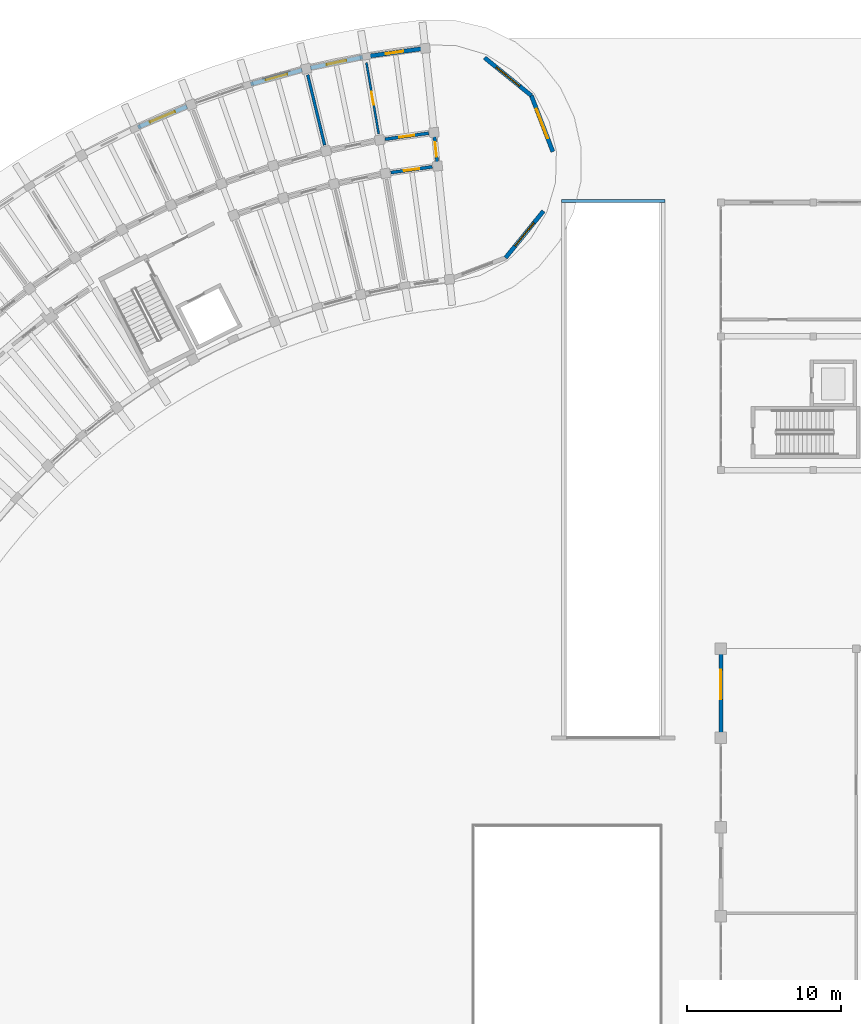
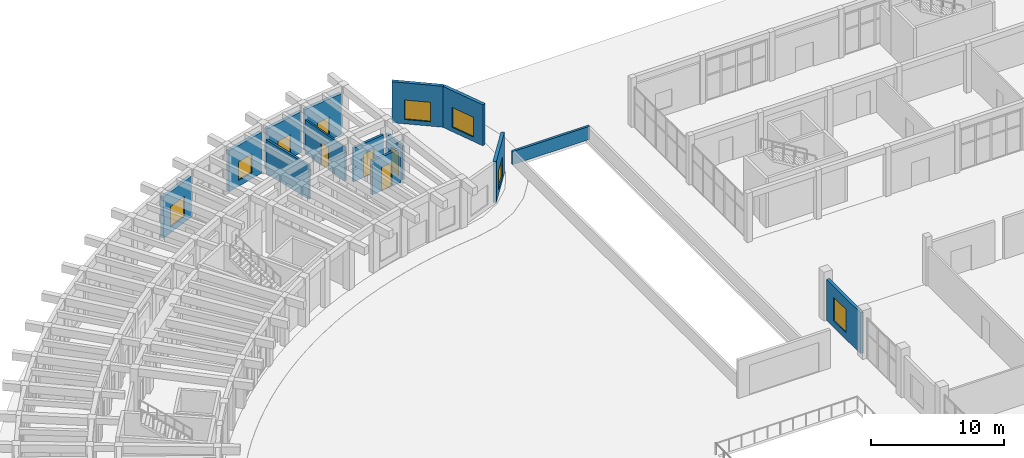
# One storey, part 97 of 132: 14 walls, 8 windows, 4 doors, 12 openings.
"""IFC4 building model written with IfcOpenShell, lengths in metres."""

from ifc_helpers import new_model, si_unit, direction, frame, frame_2d, origin, place, context, subcontext, project, spatial, rectangle, extrude, material, layer, layer_set, type_object, element, fill, save


model = new_model("IFC4")

# Units and contexts
model_context = context("Model", 3, precision=1e-05, world=origin(), true_north=direction((0.0, 1.0)))
body_context = subcontext(model_context, "Body", "Model", "MODEL_VIEW")
ifc_project = project(units=[si_unit("LENGTHUNIT", "METRE"), si_unit("AREAUNIT", "SQUARE_METRE"), si_unit("VOLUMEUNIT", "CUBIC_METRE"), si_unit("PLANEANGLEUNIT", "RADIAN"), si_unit("MASSUNIT", "GRAM", prefix="KILO")], contexts=[model_context])

# Site, building, storey
site_placement = place(None, origin())
site = spatial("IfcSite", under=ifc_project, at=site_placement, CompositionType="ELEMENT")
building_placement = place(site_placement, origin())
building = spatial("IfcBuilding", under=site, at=building_placement, Name="Tanwirah Colonnade Gardens", CompositionType="ELEMENT")
storey_placement = place(building_placement, origin())
storey = spatial("IfcBuildingStorey", under=building, at=storey_placement, Name="L00", CompositionType="ELEMENT", Elevation=0.0)

# Wall
ifc_material_1 = material(Name="Limestone architectural precast concrete C40/50", Category="masonry")
ifc_layer_1 = layer(ifc_material_1, 0.199951171875)
ifc_layer_set_1 = layer_set([ifc_layer_1], Name="Limestone architectural precast concrete C40/50")
wall_type_1 = type_object("IfcWallType", Name="EW-PAR200", PredefinedType="PARAPET", material=ifc_layer_set_1)
wall_1_placement = place(storey_placement, frame((67.64990234375, 109.5, 0.0), z_axis=(0.0, 0.0, 1.0), x_axis=(1.0, 0.0, 0.0)))
element("IfcWall", 1, at=wall_1_placement, inside=storey, type_object=wall_type_1, Name="Basement Ramp North Head Guard Wall", PredefinedType="PARAPET", context=body_context, shape_type="SweptSolid", body=[
    extrude(rectangle(XDim=6.7001953125, YDim=0.199951171875, at=frame_2d((3.35009765625, 0.0))), origin(), (0.0, 0.0, 1.0), 1.199951171875),
])

# Wall, opening, window
ifc_layer_2 = layer(ifc_material_1, 0.25)
ifc_layer_set_2 = layer_set([ifc_layer_2], Name="Limestone architectural precast concrete C40/50")
wall_type_2 = type_object("IfcWallType", Name="EW-PAV250", PredefinedType="SOLIDWALL", material=ifc_layer_set_2)
wall_2_placement = place(storey_placement, frame((78.0, 74.945068359375, 0.0), z_axis=(0.0, 0.0, 1.0), x_axis=(0.0, 1.0, 0.0)))
wall_2 = element("IfcWall", 2, at=wall_2_placement, inside=storey, type_object=wall_type_2, Name="Community Hall L00 W Facade Wall 7", PredefinedType="SOLIDWALL", context=body_context, shape_type="SweptSolid", body=[
    extrude(rectangle(XDim=5.10986328125, YDim=0.25, at=frame_2d((2.554931640625, 0.0))), origin(), (0.0, 0.0, 1.0), 3.75),
])
opening_1_placement = place(wall_2_placement, frame((2.14990234375, 0.0, 0.60009765625)))
opening_1 = element("IfcOpeningElement", 3, at=opening_1_placement, cuts=wall_2, Name="Opening WIN-PAV2", PredefinedType="OPENING", context=body_context, shape_type="SweptSolid", body=[
    extrude(rectangle(XDim=1.919921875, YDim=2.14990234375, at=frame_2d((0.9599609375, 1.074951171875))), frame((0.0, 0.135009765625, 0.0), z_axis=(0.0, -1.0, 0.0), x_axis=(1.0, 0.0, 0.0)), (0.0, 0.0, 1.0), 0.27001953125),
])
ifc_material_2 = material(Name="Thermally broken bronze aluminium and solar low-E double glazing", Category="aluminium")
window_type_1 = type_object("IfcWindowType", Name="WIN-PAV2", PartitioningType="TRIPLE_PANEL_VERTICAL", PredefinedType="WINDOW", material=ifc_material_2)
window_1_placement = place(opening_1_placement, origin())
window_1 = element("IfcWindow", 4, at=window_1_placement, inside=storey, type_object=window_type_1, Name="Community Hall Window W-7", OverallHeight=2.14990234375, OverallWidth=1.919921875, PartitioningType="SINGLE_PANEL", PredefinedType="WINDOW", context=body_context, shape_type="SweptSolid", body=[
    extrude(rectangle(XDim=1.919921875, YDim=2.14990234375, at=frame_2d((0.9599609375, 1.074951171875))), frame((0.0, 0.030029296875, 0.0), z_axis=(0.0, -1.0, 0.0), x_axis=(1.0, 0.0, 0.0)), (0.0, 0.0, 1.0), 0.06005859375),
])
fill(opening_1, window_1)

ifc_layer_3 = layer(ifc_material_1, 0.27001953125)
ifc_layer_set_3 = layer_set([ifc_layer_3], Name="Limestone architectural precast concrete C40/50")
wall_type_3 = type_object("IfcWallType", Name="EW-PC270", PredefinedType="SOLIDWALL", material=ifc_layer_set_3)
wall_3_placement = place(storey_placement, frame((58.498046875, 119.38525390625, 0.0), z_axis=(0.0, 0.0, 1.0), x_axis=(-0.990539409892, -0.137228559169, 0.0)))
wall_3 = element("IfcWall", 5, at=wall_3_placement, inside=storey, type_object=wall_type_3, Name="Block A L00 OUT Precast Facade Wall 0", PredefinedType="SOLIDWALL", context=body_context, shape_type="SweptSolid", body=[
    extrude(rectangle(XDim=3.465576171875, YDim=0.27001953125, at=frame_2d((1.73291015625, 0.0))), origin(), (0.0, 0.0, 1.0), 3.7548828125),
])
opening_2_placement = place(wall_3_placement, frame((1.15771484375, 0.0, 0.550048828125)))
opening_2 = element("IfcOpeningElement", 6, at=opening_2_placement, cuts=wall_3, Name="Opening WIN-T01", PredefinedType="OPENING", context=body_context, shape_type="SweptSolid", body=[
    extrude(rectangle(XDim=1.14990234375, YDim=1.5, at=frame_2d((0.574951171875, 0.75))), frame((0.0, 0.14501953125, 0.0), z_axis=(0.0, -1.0, 0.0), x_axis=(1.0, 0.0, 0.0)), (0.0, 0.0, 1.0), 0.2900390625),
])
window_type_2 = type_object("IfcWindowType", Name="WIN-T01", PartitioningType="SINGLE_PANEL", PredefinedType="WINDOW", material=ifc_material_2)
window_2_placement = place(opening_2_placement, origin())
window_2 = element("IfcWindow", 7, at=window_2_placement, inside=storey, type_object=window_type_2, Name="Facade window A-L00-OUT-00", OverallHeight=1.5, OverallWidth=1.14990234375, PartitioningType="SINGLE_PANEL", PredefinedType="WINDOW", context=body_context, shape_type="SweptSolid", body=[
    extrude(rectangle(XDim=1.14990234375, YDim=1.5, at=frame_2d((0.574951171875, 0.75))), frame((0.0, 0.030029296875, 0.0), z_axis=(0.0, -1.0, 0.0), x_axis=(1.0, 0.0, 0.0)), (0.0, 0.0, 1.0), 0.06005859375),
])
fill(opening_2, window_2)

wall_4_placement = place(storey_placement, frame((54.71044921875, 118.8486328125, 0.0), z_axis=(0.0, 0.0, 1.0), x_axis=(-0.979334093554, -0.202249185915, 0.0)))
wall_4 = element("IfcWall", 8, at=wall_4_placement, inside=storey, type_object=wall_type_3, Name="Block A L00 OUT Precast Facade Wall 1", PredefinedType="SOLIDWALL", context=body_context, shape_type="SweptSolid", body=[
    extrude(rectangle(XDim=3.465576171875, YDim=0.27001953125, at=frame_2d((1.73291015625, 0.0))), origin(), (0.0, 0.0, 1.0), 3.7548828125),
])
opening_3_placement = place(wall_4_placement, frame((1.0830078125, 0.0, 0.550048828125)))
opening_3 = element("IfcOpeningElement", 9, at=opening_3_placement, cuts=wall_4, Name="Opening WIN-T04", PredefinedType="OPENING", context=body_context, shape_type="SweptSolid", body=[
    extrude(rectangle(XDim=1.300048828125, YDim=1.60009765625, at=frame_2d((0.64990234375, 0.800048828125))), frame((0.0, 0.14501953125, 0.0), z_axis=(0.0, -1.0, 0.0), x_axis=(1.0, 0.0, 0.0)), (0.0, 0.0, 1.0), 0.2900390625),
])
window_type_3 = type_object("IfcWindowType", Name="WIN-T04", PartitioningType="DOUBLE_PANEL_VERTICAL", PredefinedType="WINDOW", material=ifc_material_2)
window_3_placement = place(opening_3_placement, origin())
window_3 = element("IfcWindow", 10, at=window_3_placement, inside=storey, type_object=window_type_3, Name="Facade window A-L00-OUT-01", OverallHeight=1.60009765625, OverallWidth=1.300048828125, PartitioningType="SINGLE_PANEL", PredefinedType="WINDOW", context=body_context, shape_type="SweptSolid", body=[
    extrude(rectangle(XDim=1.300048828125, YDim=1.60009765625, at=frame_2d((0.64990234375, 0.800048828125))), frame((0.0, 0.030029296875, 0.0), z_axis=(0.0, -1.0, 0.0), x_axis=(1.0, 0.0, 0.0)), (0.0, 0.0, 1.0), 0.06005859375),
])
fill(opening_3, window_3)

wall_5_placement = place(storey_placement, frame((50.772216796875, 118.0166015625, 0.0), z_axis=(0.0, 0.0, 1.0), x_axis=(-0.963895410198, -0.266281126255, 0.0)))
wall_5 = element("IfcWall", 11, at=wall_5_placement, inside=storey, type_object=wall_type_3, Name="Block A L00 OUT Precast Facade Wall 2", PredefinedType="SOLIDWALL", context=body_context, shape_type="SweptSolid", body=[
    extrude(rectangle(XDim=3.4658203125, YDim=0.27001953125, at=frame_2d((1.73291015625, 0.0))), origin(), (0.0, 0.0, 1.0), 3.7548828125),
])
opening_4_placement = place(wall_5_placement, frame((1.0078125, 0.0, 0.550048828125)))
opening_4 = element("IfcOpeningElement", 12, at=opening_4_placement, cuts=wall_5, Name="Opening WIN-T07", PredefinedType="OPENING", context=body_context, shape_type="SweptSolid", body=[
    extrude(rectangle(XDim=1.449951171875, YDim=1.699951171875, at=frame_2d((0.72509765625, 0.85009765625))), frame((0.0, 0.14501953125, 0.0), z_axis=(0.0, -1.0, 0.0), x_axis=(1.0, 0.0, 0.0)), (0.0, 0.0, 1.0), 0.2900390625),
])
window_type_4 = type_object("IfcWindowType", Name="WIN-T07", PartitioningType="DOUBLE_PANEL_VERTICAL", PredefinedType="WINDOW", material=ifc_material_2)
window_4_placement = place(opening_4_placement, origin())
window_4 = element("IfcWindow", 13, at=window_4_placement, inside=storey, type_object=window_type_4, Name="Facade window A-L00-OUT-02", OverallHeight=1.699951171875, OverallWidth=1.449951171875, PartitioningType="SINGLE_PANEL", PredefinedType="WINDOW", context=body_context, shape_type="SweptSolid", body=[
    extrude(rectangle(XDim=1.449951171875, YDim=1.699951171875, at=frame_2d((0.72509765625, 0.85009765625))), frame((0.0, 0.030029296875, 0.0), z_axis=(0.0, -1.0, 0.0), x_axis=(1.0, 0.0, 0.0)), (0.0, 0.0, 1.0), 0.06005859375),
])
fill(opening_4, window_4)

wall_6_placement = place(storey_placement, frame((43.293701171875, 115.643798828125, 0.0), z_axis=(0.0, 0.0, 1.0), x_axis=(-0.920495033259, -0.390754262607, 0.0)))
wall_6 = element("IfcWall", 14, at=wall_6_placement, inside=storey, type_object=wall_type_3, Name="Block A L00 OUT Precast Facade Wall 4", PredefinedType="SOLIDWALL", context=body_context, shape_type="SweptSolid", body=[
    extrude(rectangle(XDim=3.4658203125, YDim=0.27001953125, at=frame_2d((1.73291015625, 0.0))), origin(), (0.0, 0.0, 1.0), 3.7548828125),
])
opening_5_placement = place(wall_6_placement, frame((0.85791015625, 0.0, 0.550048828125)))
opening_5 = element("IfcOpeningElement", 15, at=opening_5_placement, cuts=wall_6, Name="Opening WIN-T13", PredefinedType="OPENING", context=body_context, shape_type="SweptSolid", body=[
    extrude(rectangle(XDim=1.75, YDim=1.85009765625, at=frame_2d((0.875, 0.925048828125))), frame((0.0, 0.14501953125, 0.0), z_axis=(0.0, -1.0, 0.0), x_axis=(1.0, 0.0, 0.0)), (0.0, 0.0, 1.0), 0.2900390625),
])
window_type_5 = type_object("IfcWindowType", Name="WIN-T13", PartitioningType="TRIPLE_PANEL_VERTICAL", PredefinedType="WINDOW", material=ifc_material_2)
window_5_placement = place(opening_5_placement, origin())
window_5 = element("IfcWindow", 16, at=window_5_placement, inside=storey, type_object=window_type_5, Name="Facade window A-L00-OUT-04", OverallHeight=1.85009765625, OverallWidth=1.75, PartitioningType="SINGLE_PANEL", PredefinedType="WINDOW", context=body_context, shape_type="SweptSolid", body=[
    extrude(rectangle(XDim=1.75, YDim=1.85009765625, at=frame_2d((0.875, 0.925048828125))), frame((0.0, 0.030029296875, 0.0), z_axis=(0.0, -1.0, 0.0), x_axis=(1.0, 0.0, 0.0)), (0.0, 0.0, 1.0), 0.06005859375),
])
fill(opening_5, window_5)

wall_7_placement = place(storey_placement, frame((62.635498046875, 118.8125, 0.0), z_axis=(0.0, 0.0, 1.0), x_axis=(0.777137204109, -0.629331205321, 0.0)))
wall_7 = element("IfcWall", 17, at=wall_7_placement, inside=storey, type_object=wall_type_3, Name="Block A L00 START Rounded End Wall 1", PredefinedType="SOLIDWALL", context=body_context, shape_type="SweptSolid", body=[
    extrude(rectangle(XDim=3.907958984375, YDim=0.27001953125, at=frame_2d((1.9541015625, 0.0))), origin(), (0.0, 0.0, 1.0), 3.7548828125),
])
opening_6_placement = place(wall_7_placement, frame((0.97900390625, 0.0, 0.39990234375)))
opening_6 = element("IfcOpeningElement", 18, at=opening_6_placement, cuts=wall_7, Name="Opening WIN-END2", PredefinedType="OPENING", context=body_context, shape_type="SweptSolid", body=[
    extrude(rectangle(XDim=1.949951171875, YDim=1.780029296875, at=frame_2d((0.97509765625, 0.89013671875))), frame((0.0, 0.14501953125, 0.0), z_axis=(0.0, -1.0, 0.0), x_axis=(1.0, 0.0, 0.0)), (0.0, 0.0, 1.0), 0.2900390625),
])
window_type_6 = type_object("IfcWindowType", Name="WIN-END2", PartitioningType="TRIPLE_PANEL_VERTICAL", PredefinedType="WINDOW", material=ifc_material_2)
window_6_placement = place(opening_6_placement, origin())
window_6 = element("IfcWindow", 19, at=window_6_placement, inside=storey, type_object=window_type_6, Name="Rounded corner window A-L00-START-1", OverallHeight=1.780029296875, OverallWidth=1.949951171875, PartitioningType="SINGLE_PANEL", PredefinedType="WINDOW", context=body_context, shape_type="SweptSolid", body=[
    extrude(rectangle(XDim=1.949951171875, YDim=1.780029296875, at=frame_2d((0.97509765625, 0.89013671875))), frame((0.0, 0.030029296875, 0.0), z_axis=(0.0, -1.0, 0.0), x_axis=(1.0, 0.0, 0.0)), (0.0, 0.0, 1.0), 0.06005859375),
])
fill(opening_6, window_6)

wall_8_placement = place(storey_placement, frame((65.672607421875, 116.35302734375, 0.0), z_axis=(0.0, 0.0, 1.0), x_axis=(0.358376224971, -0.933577249817, 0.0)))
wall_8 = element("IfcWall", 20, at=wall_8_placement, inside=storey, type_object=wall_type_3, Name="Block A L00 START Rounded End Wall 2", PredefinedType="SOLIDWALL", context=body_context, shape_type="SweptSolid", body=[
    extrude(rectangle(XDim=3.908203125, YDim=0.27001953125, at=frame_2d((1.9541015625, 0.0))), origin(), (0.0, 0.0, 1.0), 3.7548828125),
])
opening_7_placement = place(wall_8_placement, frame((0.92919921875, 0.0, 0.39990234375)))
opening_7 = element("IfcOpeningElement", 21, at=opening_7_placement, cuts=wall_8, Name="Opening WIN-END3", PredefinedType="OPENING", context=body_context, shape_type="SweptSolid", body=[
    extrude(rectangle(XDim=2.050048828125, YDim=1.820068359375, at=frame_2d((1.02490234375, 0.91015625))), frame((0.0, 0.14501953125, 0.0), z_axis=(0.0, -1.0, 0.0), x_axis=(1.0, 0.0, 0.0)), (0.0, 0.0, 1.0), 0.2900390625),
])
window_type_7 = type_object("IfcWindowType", Name="WIN-END3", PartitioningType="TRIPLE_PANEL_VERTICAL", PredefinedType="WINDOW", material=ifc_material_2)
window_7_placement = place(opening_7_placement, origin())
window_7 = element("IfcWindow", 22, at=window_7_placement, inside=storey, type_object=window_type_7, Name="Rounded corner window A-L00-START-2", OverallHeight=1.820068359375, OverallWidth=2.050048828125, PartitioningType="SINGLE_PANEL", PredefinedType="WINDOW", context=body_context, shape_type="SweptSolid", body=[
    extrude(rectangle(XDim=2.050048828125, YDim=1.820068359375, at=frame_2d((1.02490234375, 0.91015625))), frame((0.0, 0.030029296875, 0.0), z_axis=(0.0, -1.0, 0.0), x_axis=(1.0, 0.0, 0.0)), (0.0, 0.0, 1.0), 0.06005859375),
])
fill(opening_7, window_7)

wall_9_placement = place(storey_placement, frame((66.461669921875, 108.84423828125, 0.0), z_axis=(0.0, 0.0, 1.0), x_axis=(-0.629331205321, -0.777137204109, 0.0)))
wall_9 = element("IfcWall", 23, at=wall_9_placement, inside=storey, type_object=wall_type_3, Name="Block A L00 START Rounded End Wall 4", PredefinedType="SOLIDWALL", context=body_context, shape_type="SweptSolid", body=[
    extrude(rectangle(XDim=3.907958984375, YDim=0.27001953125, at=frame_2d((1.9541015625, 0.0))), origin(), (0.0, 0.0, 1.0), 3.7548828125),
])
opening_8_placement = place(wall_9_placement, frame((0.97900390625, 0.0, 0.39990234375)))
opening_8 = element("IfcOpeningElement", 24, at=opening_8_placement, cuts=wall_9, Name="Opening WIN-END2", PredefinedType="OPENING", context=body_context, shape_type="SweptSolid", body=[
    extrude(rectangle(XDim=1.949951171875, YDim=1.780029296875, at=frame_2d((0.97509765625, 0.89013671875))), frame((0.0, 0.14501953125, 0.0), z_axis=(0.0, -1.0, 0.0), x_axis=(1.0, 0.0, 0.0)), (0.0, 0.0, 1.0), 0.2900390625),
])
window_8_placement = place(opening_8_placement, origin())
window_8 = element("IfcWindow", 25, at=window_8_placement, inside=storey, type_object=window_type_6, Name="Rounded corner window A-L00-START-4", OverallHeight=1.780029296875, OverallWidth=1.949951171875, PartitioningType="SINGLE_PANEL", PredefinedType="WINDOW", context=body_context, shape_type="SweptSolid", body=[
    extrude(rectangle(XDim=1.949951171875, YDim=1.780029296875, at=frame_2d((0.97509765625, 0.89013671875))), frame((0.0, 0.030029296875, 0.0), z_axis=(0.0, -1.0, 0.0), x_axis=(1.0, 0.0, 0.0)), (0.0, 0.0, 1.0), 0.06005859375),
])
fill(opening_8, window_8)

# Wall, opening, door
ifc_material_3 = material(Name="Precast concrete C40/50", Category="concrete")
ifc_layer_4 = layer(ifc_material_3, 0.205078125)
ifc_layer_set_4 = layer_set([ifc_layer_4], Name="Precast concrete C40/50")
wall_type_4 = type_object("IfcWallType", Name="IW-CORR205", PredefinedType="PARTITIONING", material=ifc_layer_set_4)
wall_10_placement = place(storey_placement, frame((59.003662109375, 113.90576171875, 0.0), z_axis=(0.0, 0.0, 1.0), x_axis=(-0.990544162976, -0.137194246211, 0.0)))
wall_10 = element("IfcWall", 26, at=wall_10_placement, inside=storey, type_object=wall_type_4, Name="Block A L00 OUT Corridor Wall 0", PredefinedType="PARTITIONING", context=body_context, shape_type="SweptSolid", body=[
    extrude(rectangle(XDim=2.86328125, YDim=0.205078125, at=frame_2d((1.431640625, 0.0))), origin(), (0.0, 0.0, 1.0), 3.10009765625),
])
opening_9_placement = place(wall_10_placement, frame((0.9365234375, 0.0, 0.0)))
opening_9 = element("IfcOpeningElement", 27, at=opening_9_placement, cuts=wall_10, Name="Opening L00-AD221", PredefinedType="OPENING", context=body_context, shape_type="SweptSolid", body=[
    extrude(rectangle(XDim=0.989990234375, YDim=2.159912109375, at=frame_2d((0.4951171875, 1.080078125))), frame((0.0, 0.112548828125, 0.0), z_axis=(0.0, -1.0, 0.0), x_axis=(1.0, 0.0, 0.0)), (0.0, 0.0, 1.0), 0.22509765625),
])
ifc_material_4 = material(Name="Solid oak fire-resisting apartment entrance door")
door_type_1 = type_object("IfcDoorType", Name="ID-FLT099", OperationType="NOTDEFINED", PredefinedType="DOOR", material=ifc_material_4)
door_1_placement = place(opening_9_placement, origin())
door_1 = element("IfcDoor", 28, at=door_1_placement, inside=storey, type_object=door_type_1, Name="Apartment corridor door L00-AD221", OperationType="SINGLE_SWING_LEFT", OverallHeight=2.159912109375, OverallWidth=0.989990234375, PredefinedType="DOOR", context=body_context, shape_type="SweptSolid", body=[
    extrude(rectangle(XDim=0.989990234375, YDim=2.159912109375, at=frame_2d((0.4951171875, 1.080078125))), frame((0.0, 0.02490234375, 0.0), z_axis=(0.0, -1.0, 0.0), x_axis=(1.0, 0.0, 0.0)), (0.0, 0.0, 1.0), 0.050048828125),
])
fill(opening_9, door_1)

wall_11_placement = place(storey_placement, frame((59.2333984375, 111.718017578125, 0.0), z_axis=(0.0, 0.0, 1.0), x_axis=(-0.990535404475, -0.137257467855, 0.0)))
wall_11 = element("IfcWall", 29, at=wall_11_placement, inside=storey, type_object=wall_type_4, Name="Block A L00 IN Corridor Wall 0", PredefinedType="PARTITIONING", context=body_context, shape_type="SweptSolid", body=[
    extrude(rectangle(XDim=2.7177734375, YDim=0.205078125, at=frame_2d((1.35888671875, 0.0))), origin(), (0.0, 0.0, 1.0), 3.10009765625),
])
opening_10_placement = place(wall_11_placement, frame((0.864013671875, 0.0, 0.0)))
opening_10 = element("IfcOpeningElement", 30, at=opening_10_placement, cuts=wall_11, Name="Opening L00-AD222", PredefinedType="OPENING", context=body_context, shape_type="SweptSolid", body=[
    extrude(rectangle(XDim=0.989990234375, YDim=2.159912109375, at=frame_2d((0.4951171875, 1.080078125))), frame((0.0, 0.112548828125, 0.0), z_axis=(0.0, -1.0, 0.0), x_axis=(1.0, 0.0, 0.0)), (0.0, 0.0, 1.0), 0.22509765625),
])
door_2_placement = place(opening_10_placement, origin())
door_2 = element("IfcDoor", 31, at=door_2_placement, inside=storey, type_object=door_type_1, Name="Apartment corridor door L00-AD222", OperationType="SINGLE_SWING_RIGHT", OverallHeight=2.159912109375, OverallWidth=0.989990234375, PredefinedType="DOOR", context=body_context, shape_type="SweptSolid", body=[
    extrude(rectangle(XDim=0.989990234375, YDim=2.159912109375, at=frame_2d((0.4951171875, 1.080078125))), frame((0.0, 0.02490234375, 0.0), z_axis=(0.0, -1.0, 0.0), x_axis=(1.0, 0.0, 0.0)), (0.0, 0.0, 1.0), 0.050048828125),
])
fill(opening_10, door_2)

wall_12_placement = place(storey_placement, frame((59.574951171875, 111.815673828125, 0.0), z_axis=(0.0, 0.0, 1.0), x_axis=(-0.104509292252, 0.994523910136, 0.0)))
wall_12 = element("IfcWall", 32, at=wall_12_placement, inside=storey, type_object=wall_type_4, Name="Block A L00 CS Corner Suite Corridor Wall", PredefinedType="PARTITIONING", context=body_context, shape_type="SweptSolid", body=[
    extrude(rectangle(XDim=2.10009765625, YDim=0.205078125, at=frame_2d((1.050048828125, 0.0))), origin(), (0.0, 0.0, 1.0), 3.10009765625),
])
opening_11_placement = place(wall_12_placement, frame((0.570068359375, 0.0, 0.0)))
opening_11 = element("IfcOpeningElement", 33, at=opening_11_placement, cuts=wall_12, Name="Opening L00-CD261", PredefinedType="OPENING", context=body_context, shape_type="SweptSolid", body=[
    extrude(rectangle(XDim=0.949951171875, YDim=2.1298828125, at=frame_2d((0.47509765625, 1.06494140625))), frame((0.0, 0.112548828125, 0.0), z_axis=(0.0, -1.0, 0.0), x_axis=(1.0, 0.0, 0.0)), (0.0, 0.0, 1.0), 0.22509765625),
])
door_type_2 = type_object("IfcDoorType", Name="ID-FLT095", OperationType="NOTDEFINED", PredefinedType="DOOR", material=ifc_material_4)
door_3_placement = place(opening_11_placement, origin())
door_3 = element("IfcDoor", 34, at=door_3_placement, inside=storey, type_object=door_type_2, Name="Corner suite entrance door L00-CD261", OperationType="SINGLE_SWING_LEFT", OverallHeight=2.1298828125, OverallWidth=0.949951171875, PredefinedType="DOOR", context=body_context, shape_type="SweptSolid", body=[
    extrude(rectangle(XDim=0.949951171875, YDim=2.1298828125, at=frame_2d((0.47509765625, 1.06494140625))), frame((0.0, 0.02490234375, 0.0), z_axis=(0.0, -1.0, 0.0), x_axis=(1.0, 0.0, 0.0)), (0.0, 0.0, 1.0), 0.050048828125),
])
fill(opening_11, door_3)

# Wall
ifc_layer_5 = layer(ifc_material_3, 0.18505859375)
ifc_layer_set_5 = layer_set([ifc_layer_5], Name="Precast concrete C40/50")
wall_type_5 = type_object("IfcWallType", Name="IW-DEM185", PredefinedType="PARTITIONING", material=ifc_layer_set_5)
wall_13_placement = place(storey_placement, frame((52.237548828125, 113.13330078125, 0.0), z_axis=(0.0, 0.0, 1.0), x_axis=(-0.234386624934, 0.972143461662, 0.0)))
element("IfcWall", 35, at=wall_13_placement, inside=storey, type_object=wall_type_5, Name="Block A L00 Radial Partition 1", PredefinedType="PARTITIONING", context=body_context, shape_type="SweptSolid", body=[
    extrude(rectangle(XDim=4.69970703125, YDim=0.18505859375, at=frame_2d((2.349853515625, 0.0))), origin(), (0.0, 0.0, 1.0), 3.10009765625),
])

# Wall, opening, door
ifc_material_5 = material(Name="Water-resistant acoustic plumbing partition")
ifc_layer_6 = layer(ifc_material_5, 0.139892578125)
ifc_layer_set_6 = layer_set([ifc_layer_6], Name="Water-resistant acoustic plumbing partition")
wall_type_6 = type_object("IfcWallType", Name="IW-WET140", PredefinedType="PLUMBINGWALL", material=ifc_layer_set_6)
wall_14_placement = place(storey_placement, frame((55.7529296875, 113.859130859375, 0.0), z_axis=(0.0, 0.0, 1.0), x_axis=(-0.169812980219, 0.985476307046, 0.0)))
wall_14 = element("IfcWall", 36, at=wall_14_placement, inside=storey, type_object=wall_type_6, Name="Block A L00 Radial Partition 0", PredefinedType="PLUMBINGWALL", context=body_context, shape_type="SweptSolid", body=[
    extrude(rectangle(XDim=4.699951171875, YDim=0.139892578125, at=frame_2d((2.35009765625, 0.0))), origin(), (0.0, 0.0, 1.0), 3.10009765625),
])
opening_12_placement = place(wall_14_placement, frame((1.919921875, 0.0, 0.0)))
opening_12 = element("IfcOpeningElement", 37, at=opening_12_placement, cuts=wall_14, Name="Opening L00-RD223", PredefinedType="OPENING", context=body_context, shape_type="SweptSolid", body=[
    extrude(rectangle(XDim=0.860107421875, YDim=2.06005859375, at=frame_2d((0.43017578125, 1.030029296875))), frame((0.0, 0.079833984375, 0.0), z_axis=(0.0, -1.0, 0.0), x_axis=(1.0, 0.0, 0.0)), (0.0, 0.0, 1.0), 0.159912109375),
])
ifc_material_6 = material(Name="Moisture-resistant bathroom door")
door_type_3 = type_object("IfcDoorType", Name="ID-WET086", OperationType="NOTDEFINED", PredefinedType="DOOR", material=ifc_material_6)
door_4_placement = place(opening_12_placement, origin())
door_4 = element("IfcDoor", 38, at=door_4_placement, inside=storey, type_object=door_type_3, Name="Internal apartment door L00-RD223", OperationType="SINGLE_SWING_LEFT", OverallHeight=2.06005859375, OverallWidth=0.860107421875, PredefinedType="DOOR", context=body_context, shape_type="SweptSolid", body=[
    extrude(rectangle(XDim=0.860107421875, YDim=2.06005859375, at=frame_2d((0.43017578125, 1.030029296875))), frame((0.0, 0.02490234375, 0.0), z_axis=(0.0, -1.0, 0.0), x_axis=(1.0, 0.0, 0.0)), (0.0, 0.0, 1.0), 0.050048828125),
])
fill(opening_12, door_4)

save(model, "model.ifc")
